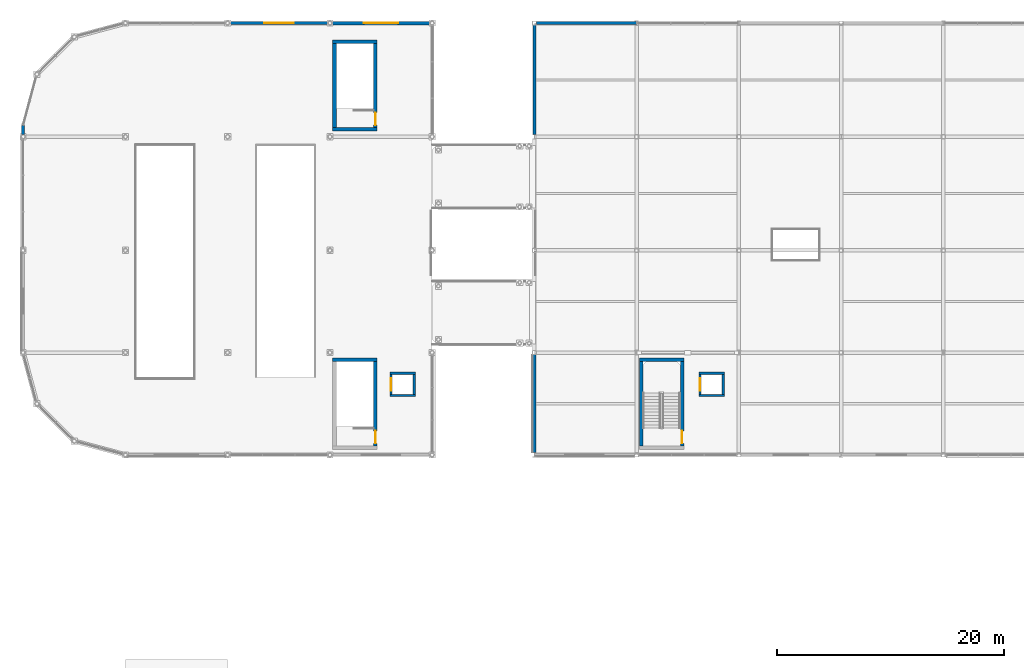
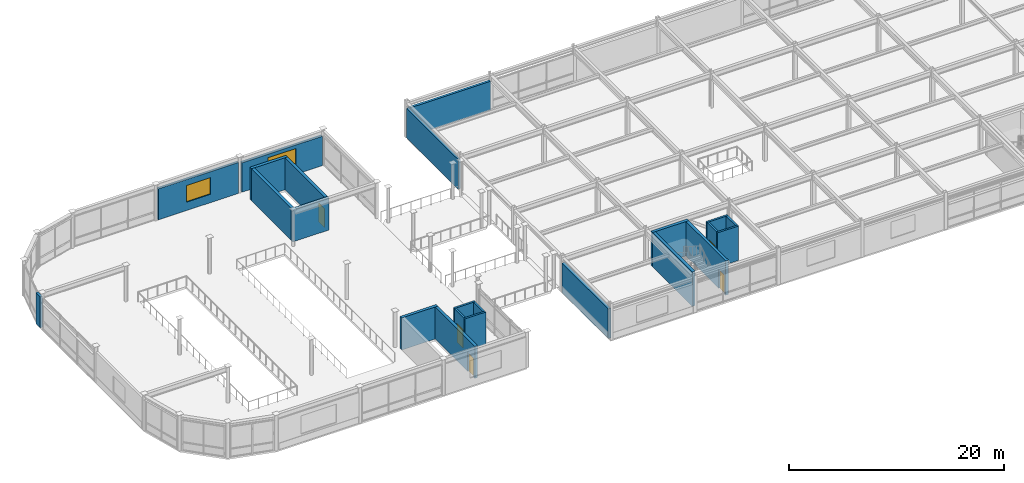
# One storey, part 38 of 53: 23 walls, 5 doors, 2 windows, 7 openings.
"""IFC4 building model written with IfcOpenShell, lengths in metres."""

from ifc_helpers import new_model, si_unit, direction, frame, frame_2d, origin, place, context, subcontext, project, spatial, rectangle, extrude, material, layer, layer_set, type_object, element, fill, save


model = new_model("IFC4")

# Units and contexts
model_context = context("Model", 3, precision=1e-05, world=origin(), true_north=direction((0.0, 1.0)))
body_context = subcontext(model_context, "Body", "Model", "MODEL_VIEW")
ifc_project = project(units=[si_unit("LENGTHUNIT", "METRE"), si_unit("AREAUNIT", "SQUARE_METRE"), si_unit("VOLUMEUNIT", "CUBIC_METRE"), si_unit("PLANEANGLEUNIT", "RADIAN"), si_unit("MASSUNIT", "GRAM", prefix="KILO")], contexts=[model_context])

# Site, building, storey
site_placement = place(None, origin())
site = spatial("IfcSite", under=ifc_project, at=site_placement, CompositionType="ELEMENT")
building_placement = place(site_placement, origin())
building = spatial("IfcBuilding", under=site, at=building_placement, Name="Suzunagisa Mobility Hub", CompositionType="ELEMENT")
storey_placement = place(building_placement, frame((0.0, 0.0, 17.699951171875)))
storey = spatial("IfcBuildingStorey", under=building, at=storey_placement, Name="L04", CompositionType="ELEMENT", Elevation=17.699951171875)

# Walls
ifc_material_1 = material(Name="Porcelain-Faced Insulated Concrete C30/37 Wall", Category="concrete")
ifc_layer_1 = layer(ifc_material_1, 0.260009765625)
ifc_layer_set_1 = layer_set([ifc_layer_1], Name="Porcelain-Faced Insulated Concrete C30/37 Wall")
wall_type_1 = type_object("IfcWallType", Name="Exterior Wall EW-03 260mm", PredefinedType="SOLIDWALL", material=ifc_layer_set_1)
wall_1_placement = place(storey_placement, frame((0.0, 109.0, 0.0), z_axis=(0.0, 0.0, 1.0), x_axis=(0.0, -1.0, 0.0)))
element("IfcWall", 1, at=wall_1_placement, inside=storey, type_object=wall_type_1, Name="L04 Exterior Facade Wall EW-134", PredefinedType="SOLIDWALL", context=body_context, shape_type="SweptSolid", body=[
    extrude(rectangle(XDim=0.822265625, YDim=0.260009765625, at=frame_2d((0.4111328125, 0.0))), origin(), (0.0, 0.0, 1.0), 3.526123046875),
])
wall_2_placement = place(storey_placement, frame((53.99560546875, 118.0, 0.0), z_axis=(0.0, 0.0, 1.0), x_axis=(-1.0, 0.0, 0.0)))
element("IfcWall", 2, at=wall_2_placement, inside=storey, type_object=wall_type_1, Name="L04 Exterior Facade Wall EW-238", PredefinedType="SOLIDWALL", context=body_context, shape_type="SweptSolid", body=[
    extrude(rectangle(XDim=8.820556640625, YDim=0.260009765625, at=frame_2d((4.41015625, 0.0))), origin(), (0.0, 0.0, 1.0), 3.25),
])
ifc_material_2 = material(Name="Lightweight Insulated Autoclaved Concrete C30/37 Wall", Category="concrete")
ifc_layer_2 = layer(ifc_material_2, 0.239990234375)
ifc_layer_set_2 = layer_set([ifc_layer_2], Name="Lightweight Insulated Autoclaved Concrete C30/37 Wall")
wall_type_2 = type_object("IfcWallType", Name="Exterior Wall EW-04 240mm", PredefinedType="SOLIDWALL", material=ifc_layer_set_2)
wall_3_placement = place(storey_placement, frame((45.0, 117.824951171875, 0.0), z_axis=(0.0, 0.0, 1.0), x_axis=(0.0, -1.0, 0.0)))
element("IfcWall", 3, at=wall_3_placement, inside=storey, type_object=wall_type_2, Name="L04 Exterior Facade Wall EW-239", PredefinedType="SOLIDWALL", context=body_context, shape_type="SweptSolid", body=[
    extrude(rectangle(XDim=9.6298828125, YDim=0.239990234375, at=frame_2d((4.81494140625, 0.0))), origin(), (0.0, 0.0, 1.0), 3.362060546875),
])

# Wall, opening, window
ifc_layer_3 = layer(ifc_material_1, 0.280029296875)
ifc_layer_set_3 = layer_set([ifc_layer_3], Name="Porcelain-Faced Insulated Concrete C30/37 Wall")
wall_type_3 = type_object("IfcWallType", Name="Exterior Wall EW-08 280mm", PredefinedType="SOLIDWALL", material=ifc_layer_set_3)
wall_4_placement = place(storey_placement, frame((26.822265625, 118.0, 0.0), z_axis=(0.0, 0.0, 1.0), x_axis=(-1.0, 0.0, 0.0)))
wall_4 = element("IfcWall", 4, at=wall_4_placement, inside=storey, type_object=wall_type_3, Name="L04 Exterior Facade Wall EW-133", PredefinedType="SOLIDWALL", context=body_context, shape_type="SweptSolid", body=[
    extrude(rectangle(XDim=8.64453125, YDim=0.280029296875, at=frame_2d((4.322265625, 0.0))), origin(), (0.0, 0.0, 1.0), 3.526123046875),
])
opening_1_placement = place(wall_4_placement, frame((3.022216796875, 0.0, 0.949951171875)))
opening_1 = element("IfcOpeningElement", 5, at=opening_1_placement, cuts=wall_4, Name="Opening WN-24", PredefinedType="OPENING", context=body_context, shape_type="SweptSolid", body=[
    extrude(rectangle(XDim=2.60009765625, YDim=1.89990234375, at=frame_2d((1.300048828125, 0.949951171875))), frame((0.0, 0.15087890625, 0.0), z_axis=(0.0, -1.0, 0.0), x_axis=(1.0, 0.0, 0.0)), (0.0, 0.0, 1.0), 0.302001953125),
])
ifc_material_3 = material(Name="Thermally Broken Anodized Aluminum and Low-E Double Glazing", Category="aluminium")
window_type_1 = type_object("IfcWindowType", Name="Aluminum Window WN-24 2600x1900", PartitioningType="SINGLE_PANEL", PredefinedType="WINDOW", material=ifc_material_3)
window_1_placement = place(opening_1_placement, origin())
window_1 = element("IfcWindow", 6, at=window_1_placement, inside=storey, type_object=window_type_1, Name="L04 Scheduled Facade Window WN-37", OverallHeight=1.89990234375, OverallWidth=2.60009765625, PartitioningType="SINGLE_PANEL", PredefinedType="WINDOW", context=body_context, shape_type="SweptSolid", body=[
    extrude(rectangle(XDim=2.60009765625, YDim=1.89990234375, at=frame_2d((1.300048828125, 0.949951171875))), frame((0.0, 0.030029296875, 0.0), z_axis=(0.0, -1.0, 0.0), x_axis=(1.0, 0.0, 0.0)), (0.0, 0.0, 1.0), 0.06005859375),
])
fill(opening_1, window_1)

ifc_material_4 = material(Name="Insulated Precast Concrete C35/45 Panel", Category="concrete")
ifc_layer_4 = layer(ifc_material_4, 0.300048828125)
ifc_layer_set_4 = layer_set([ifc_layer_4], Name="Insulated Precast Concrete C35/45 Panel")
wall_type_4 = type_object("IfcWallType", Name="Exterior Wall EW-09 300mm", PredefinedType="SOLIDWALL", material=ifc_layer_set_4)
wall_5_placement = place(storey_placement, frame((35.822265625, 118.0, 0.0), z_axis=(0.0, 0.0, 1.0), x_axis=(-1.0, 0.0, 0.0)))
wall_5 = element("IfcWall", 7, at=wall_5_placement, inside=storey, type_object=wall_type_4, Name="L04 Exterior Facade Wall EW-132", PredefinedType="SOLIDWALL", context=body_context, shape_type="SweptSolid", body=[
    extrude(rectangle(XDim=8.64453125, YDim=0.300048828125, at=frame_2d((4.322265625, 0.0))), origin(), (0.0, 0.0, 1.0), 3.35205078125),
])
opening_2_placement = place(wall_5_placement, frame((2.822265625, 0.0, 0.949951171875)))
opening_2 = element("IfcOpeningElement", 8, at=opening_2_placement, cuts=wall_5, Name="Opening WN-03", PredefinedType="OPENING", context=body_context, shape_type="SweptSolid", body=[
    extrude(rectangle(XDim=3.0, YDim=2.0, at=frame_2d((1.5, 1.0))), frame((0.0, 0.1611328125, 0.0), z_axis=(0.0, -1.0, 0.0), x_axis=(1.0, 0.0, 0.0)), (0.0, 0.0, 1.0), 0.322021484375),
])
window_type_2 = type_object("IfcWindowType", Name="Aluminum Window WN-03 3000x2000", PartitioningType="SINGLE_PANEL", PredefinedType="WINDOW", material=ifc_material_3)
window_2_placement = place(opening_2_placement, origin())
window_2 = element("IfcWindow", 9, at=window_2_placement, inside=storey, type_object=window_type_2, Name="L04 Scheduled Facade Window WN-36", OverallHeight=2.0, OverallWidth=3.0, PartitioningType="SINGLE_PANEL", PredefinedType="WINDOW", context=body_context, shape_type="SweptSolid", body=[
    extrude(rectangle(XDim=3.0, YDim=2.0, at=frame_2d((1.5, 1.0))), frame((0.0, 0.030029296875, 0.0), z_axis=(0.0, -1.0, 0.0), x_axis=(1.0, 0.0, 0.0)), (0.0, 0.0, 1.0), 0.06005859375),
])
fill(opening_2, window_2)

# Walls
wall_6_placement = place(storey_placement, frame((45.0, 88.824951171875, 0.0), z_axis=(0.0, 0.0, 1.0), x_axis=(0.0, -1.0, 0.0)))
element("IfcWall", 10, at=wall_6_placement, inside=storey, type_object=wall_type_4, Name="L04 Exterior Facade Wall EW-240", PredefinedType="SOLIDWALL", context=body_context, shape_type="SweptSolid", body=[
    extrude(rectangle(XDim=8.6298828125, YDim=0.300048828125, at=frame_2d((4.31494140625, 0.0))), origin(), (0.0, 0.0, 1.0), 3.362060546875),
])
ifc_material_5 = material(Name="Concrete C35/45", Category="concrete")
ifc_layer_5 = layer(ifc_material_5, 0.31005859375)
ifc_layer_set_5 = layer_set([ifc_layer_5], Name="Concrete C35/45")
wall_type_5 = type_object("IfcWallType", Name="Interior Wall IW-01 310mm", PredefinedType="SHEAR", material=ifc_layer_set_5)
wall_7_placement = place(storey_placement, frame((27.25, 88.35498046875, 0.0), z_axis=(0.0, 0.0, 1.0), x_axis=(1.0, 0.0, 0.0)))
element("IfcWall", 11, at=wall_7_placement, inside=storey, type_object=wall_type_5, Name="L04 Core C6 Shear Wall SW-150", PredefinedType="SHEAR", context=body_context, shape_type="SweptSolid", body=[
    extrude(rectangle(XDim=3.89990234375, YDim=0.31005859375, at=frame_2d((1.949951171875, 0.0))), origin(), (0.0, 0.0, 1.0), 3.650146484375),
])

# Wall, opening, door
wall_8_placement = place(storey_placement, frame((30.9951171875, 80.800048828125, 0.0), z_axis=(0.0, 0.0, 1.0), x_axis=(0.0, 1.0, 0.0)))
wall_8 = element("IfcWall", 12, at=wall_8_placement, inside=storey, type_object=wall_type_5, Name="L04 Core C6 Shear Wall SW-152", PredefinedType="SHEAR", context=body_context, shape_type="SweptSolid", body=[
    extrude(rectangle(XDim=7.39990234375, YDim=0.31005859375, at=frame_2d((3.699951171875, 0.0))), origin(), (0.0, 0.0, 1.0), 3.650146484375),
])
opening_3_placement = place(wall_8_placement, frame((0.219970703125, 0.0, 0.0)))
opening_3 = element("IfcOpeningElement", 13, at=opening_3_placement, cuts=wall_8, Name="Opening DR-05", PredefinedType="OPENING", context=body_context, shape_type="SweptSolid", body=[
    extrude(rectangle(XDim=1.10009765625, YDim=2.14990234375, at=frame_2d((0.550048828125, 1.074951171875))), frame((0.0, 0.166015625, 0.0), z_axis=(0.0, -1.0, 0.0), x_axis=(1.0, 0.0, 0.0)), (0.0, 0.0, 1.0), 0.33203125),
])
ifc_material_6 = material(Name="Fire-Rated Hollow Steel Stair Door", Category="steel")
door_type_1 = type_object("IfcDoorType", Name="Interior Door DR-05 1100x2150", OperationType="SINGLE_SWING_LEFT", PredefinedType="DOOR", material=ifc_material_6)
door_1_placement = place(opening_3_placement, origin())
door_1 = element("IfcDoor", 14, at=door_1_placement, inside=storey, type_object=door_type_1, Name="L04 Core C6 Escape Stair Fire Door SD-36", OperationType="SINGLE_SWING_RIGHT", OverallHeight=2.14990234375, OverallWidth=1.10009765625, PredefinedType="DOOR", context=body_context, shape_type="SweptSolid", body=[
    extrude(rectangle(XDim=1.10009765625, YDim=2.14990234375, at=frame_2d((0.550048828125, 1.074951171875))), frame((0.0, 0.02490234375, 0.0), z_axis=(0.0, -1.0, 0.0), x_axis=(1.0, 0.0, 0.0)), (0.0, 0.0, 1.0), 0.050048828125),
])
fill(opening_3, door_1)

# Walls
for number, where, z_axis, x_axis, name in (
    (15, (27.25, 108.64501953125, 0.0), (0.0, 0.0, 1.0), (1.0, 0.0, 0.0), "L04 Core C6B Shear Wall SW-177"),
    (16, (27.25, 116.35498046875, 0.0), (0.0, 0.0, 1.0), (1.0, 0.0, 0.0), "L04 Core C6B Shear Wall SW-178"),
):
    element("IfcWall", number, at=place(storey_placement, frame(where, z_axis=z_axis, x_axis=x_axis)), inside=storey, type_object=wall_type_5, Name=name, PredefinedType="SHEAR", context=body_context, shape_type="SweptSolid", body=[
        extrude(rectangle(XDim=3.89990234375, YDim=0.31005859375, at=frame_2d((1.949951171875, 0.0))), origin(), (0.0, 0.0, 1.0), 3.650146484375),
    ])
wall_9_placement = place(storey_placement, frame((27.405029296875, 108.800048828125, 0.0), z_axis=(0.0, 0.0, 1.0), x_axis=(0.0, 1.0, 0.0)))
element("IfcWall", 17, at=wall_9_placement, inside=storey, type_object=wall_type_5, Name="L04 Core C6B Shear Wall SW-179", PredefinedType="SHEAR", context=body_context, shape_type="SweptSolid", body=[
    extrude(rectangle(XDim=7.39990234375, YDim=0.31005859375, at=frame_2d((3.699951171875, 0.0))), origin(), (0.0, 0.0, 1.0), 3.650146484375),
])

# Wall, opening, door
wall_10_placement = place(storey_placement, frame((30.9951171875, 108.800048828125, 0.0), z_axis=(0.0, 0.0, 1.0), x_axis=(0.0, 1.0, 0.0)))
wall_10 = element("IfcWall", 18, at=wall_10_placement, inside=storey, type_object=wall_type_5, Name="L04 Core C6B Shear Wall SW-180", PredefinedType="SHEAR", context=body_context, shape_type="SweptSolid", body=[
    extrude(rectangle(XDim=7.39990234375, YDim=0.31005859375, at=frame_2d((3.699951171875, 0.0))), origin(), (0.0, 0.0, 1.0), 3.650146484375),
])
opening_4_placement = place(wall_10_placement, frame((0.219970703125, 0.0, 0.0)))
opening_4 = element("IfcOpeningElement", 19, at=opening_4_placement, cuts=wall_10, Name="Opening DR-05", PredefinedType="OPENING", context=body_context, shape_type="SweptSolid", body=[
    extrude(rectangle(XDim=1.10009765625, YDim=2.14990234375, at=frame_2d((0.550048828125, 1.074951171875))), frame((0.0, 0.166015625, 0.0), z_axis=(0.0, -1.0, 0.0), x_axis=(1.0, 0.0, 0.0)), (0.0, 0.0, 1.0), 0.33203125),
])
door_2_placement = place(opening_4_placement, origin())
door_2 = element("IfcDoor", 20, at=door_2_placement, inside=storey, type_object=door_type_1, Name="L04 Core C6B Escape Stair Fire Door SD-43", OperationType="SINGLE_SWING_RIGHT", OverallHeight=2.14990234375, OverallWidth=1.10009765625, PredefinedType="DOOR", context=body_context, shape_type="SweptSolid", body=[
    extrude(rectangle(XDim=1.10009765625, YDim=2.14990234375, at=frame_2d((0.550048828125, 1.074951171875))), frame((0.0, 0.02490234375, 0.0), z_axis=(0.0, -1.0, 0.0), x_axis=(1.0, 0.0, 0.0)), (0.0, 0.0, 1.0), 0.050048828125),
])
fill(opening_4, door_2)

# Walls
wall_11_placement = place(storey_placement, frame((54.25, 88.35498046875, 0.0), z_axis=(0.0, 0.0, 1.0), x_axis=(1.0, 0.0, 0.0)))
element("IfcWall", 21, at=wall_11_placement, inside=storey, type_object=wall_type_5, Name="L04 Core C3 Shear Wall SW-222", PredefinedType="SHEAR", context=body_context, shape_type="SweptSolid", body=[
    extrude(rectangle(XDim=3.89990234375, YDim=0.31005859375, at=frame_2d((1.949951171875, 0.0))), origin(), (0.0, 0.0, 1.0), 3.920166015625),
])
wall_12_placement = place(storey_placement, frame((54.405029296875, 80.800048828125, 0.0), z_axis=(0.0, 0.0, 1.0), x_axis=(0.0, 1.0, 0.0)))
element("IfcWall", 22, at=wall_12_placement, inside=storey, type_object=wall_type_5, Name="L04 Core C3 Shear Wall SW-223", PredefinedType="SHEAR", context=body_context, shape_type="SweptSolid", body=[
    extrude(rectangle(XDim=7.39990234375, YDim=0.31005859375, at=frame_2d((3.699951171875, 0.0))), origin(), (0.0, 0.0, 1.0), 3.920166015625),
])

# Wall, opening, door
wall_13_placement = place(storey_placement, frame((57.9951171875, 80.800048828125, 0.0), z_axis=(0.0, 0.0, 1.0), x_axis=(0.0, 1.0, 0.0)))
wall_13 = element("IfcWall", 23, at=wall_13_placement, inside=storey, type_object=wall_type_5, Name="L04 Core C3 Shear Wall SW-224", PredefinedType="SHEAR", context=body_context, shape_type="SweptSolid", body=[
    extrude(rectangle(XDim=7.39990234375, YDim=0.31005859375, at=frame_2d((3.699951171875, 0.0))), origin(), (0.0, 0.0, 1.0), 3.920166015625),
])
opening_5_placement = place(wall_13_placement, frame((0.219970703125, 0.0, 0.0)))
opening_5 = element("IfcOpeningElement", 24, at=opening_5_placement, cuts=wall_13, Name="Opening DR-05", PredefinedType="OPENING", context=body_context, shape_type="SweptSolid", body=[
    extrude(rectangle(XDim=1.10009765625, YDim=2.14990234375, at=frame_2d((0.550048828125, 1.074951171875))), frame((0.0, 0.166015625, 0.0), z_axis=(0.0, -1.0, 0.0), x_axis=(1.0, 0.0, 0.0)), (0.0, 0.0, 1.0), 0.33203125),
])
door_3_placement = place(opening_5_placement, origin())
door_3 = element("IfcDoor", 25, at=door_3_placement, inside=storey, type_object=door_type_1, Name="L04 Core C3 Escape Stair Fire Door SD-54", OperationType="SINGLE_SWING_RIGHT", OverallHeight=2.14990234375, OverallWidth=1.10009765625, PredefinedType="DOOR", context=body_context, shape_type="SweptSolid", body=[
    extrude(rectangle(XDim=1.10009765625, YDim=2.14990234375, at=frame_2d((0.550048828125, 1.074951171875))), frame((0.0, 0.02490234375, 0.0), z_axis=(0.0, -1.0, 0.0), x_axis=(1.0, 0.0, 0.0)), (0.0, 0.0, 1.0), 0.050048828125),
])
fill(opening_5, door_3)

ifc_material_7 = material(Name="Fire-Rated Gypsum Stud Partition", Category="gypsum")
ifc_layer_6 = layer(ifc_material_7, 0.2099609375)
ifc_layer_set_6 = layer_set([ifc_layer_6], Name="Fire-Rated Gypsum Stud Partition")
wall_type_6 = type_object("IfcWallType", Name="Interior Wall IW-03 210mm", PredefinedType="PARTITIONING", material=ifc_layer_set_6)
wall_14_placement = place(storey_placement, frame((32.375, 85.330078125, 0.0), z_axis=(0.0, 0.0, 1.0), x_axis=(0.0, 1.0, 0.0)))
wall_14 = element("IfcWall", 26, at=wall_14_placement, inside=storey, type_object=wall_type_6, Name="L04 Lift LF-09 Shaft Front Wall", PredefinedType="PARTITIONING", context=body_context, shape_type="SweptSolid", body=[
    extrude(rectangle(XDim=1.739990234375, YDim=0.2099609375, at=frame_2d((0.8701171875, 0.0))), origin(), (0.0, 0.0, 1.0), 3.650146484375),
])
opening_6_placement = place(wall_14_placement, frame((0.320068359375, 0.0, 0.0)))
opening_6 = element("IfcOpeningElement", 27, at=opening_6_placement, cuts=wall_14, Name="Opening LD-01", PredefinedType="OPENING", context=body_context, shape_type="SweptSolid", body=[
    extrude(rectangle(XDim=1.10009765625, YDim=2.14990234375, at=frame_2d((0.550048828125, 1.074951171875))), frame((0.0, 0.115966796875, 0.0), z_axis=(0.0, -1.0, 0.0), x_axis=(1.0, 0.0, 0.0)), (0.0, 0.0, 1.0), 0.23193359375),
])
ifc_material_8 = material(Name="Brushed Stainless Steel SUS304", Category="metal")
door_type_2 = type_object("IfcDoorType", Name="Lift Landing Sliding Door LD-01 1100x2150", OperationType="SLIDING_TO_LEFT", PredefinedType="DOOR", material=ifc_material_8)
door_4_placement = place(opening_6_placement, origin())
door_4 = element("IfcDoor", 28, at=door_4_placement, inside=storey, type_object=door_type_2, Name="L04 Lift LF-09 Sliding Landing Door", OperationType="SLIDING_TO_LEFT", OverallHeight=2.14990234375, OverallWidth=1.10009765625, PredefinedType="DOOR", context=body_context, shape_type="SweptSolid", body=[
    extrude(rectangle(XDim=1.10009765625, YDim=2.14990234375, at=frame_2d((0.550048828125, 1.074951171875))), frame((0.0, 0.02490234375, 0.0), z_axis=(0.0, -1.0, 0.0), x_axis=(1.0, 0.0, 0.0)), (0.0, 0.0, 1.0), 0.050048828125),
])
fill(opening_6, door_4)

# Walls
wall_15_placement = place(storey_placement, frame((34.425048828125, 85.330078125, 0.0), z_axis=(0.0, 0.0, 1.0), x_axis=(0.0, 1.0, 0.0)))
element("IfcWall", 29, at=wall_15_placement, inside=storey, type_object=wall_type_6, Name="L04 Lift LF-09 Shaft Back Wall", PredefinedType="PARTITIONING", context=body_context, shape_type="SweptSolid", body=[
    extrude(rectangle(XDim=1.739990234375, YDim=0.2099609375, at=frame_2d((0.8701171875, 0.0))), origin(), (0.0, 0.0, 1.0), 3.650146484375),
])
for number, where, z_axis, x_axis, name in (
    (30, (32.27001953125, 85.22509765625, 0.0), (0.0, 0.0, 1.0), (1.0, 0.0, 0.0), "L04 Lift LF-09 Shaft South Wall"),
    (31, (32.27001953125, 87.175048828125, 0.0), (0.0, 0.0, 1.0), (1.0, 0.0, 0.0), "L04 Lift LF-09 Shaft North Wall"),
):
    element("IfcWall", number, at=place(storey_placement, frame(where, z_axis=z_axis, x_axis=x_axis)), inside=storey, type_object=wall_type_6, Name=name, PredefinedType="PARTITIONING", context=body_context, shape_type="SweptSolid", body=[
        extrude(rectangle(XDim=2.260009765625, YDim=0.2099609375, at=frame_2d((1.1298828125, 0.0))), origin(), (0.0, 0.0, 1.0), 3.650146484375),
    ])

# Wall, opening, door
wall_16_placement = place(storey_placement, frame((59.574951171875, 85.330078125, 0.0), z_axis=(0.0, 0.0, 1.0), x_axis=(0.0, 1.0, 0.0)))
wall_16 = element("IfcWall", 32, at=wall_16_placement, inside=storey, type_object=wall_type_6, Name="L04 Lift LF-04 Shaft Front Wall", PredefinedType="PARTITIONING", context=body_context, shape_type="SweptSolid", body=[
    extrude(rectangle(XDim=1.739990234375, YDim=0.2099609375, at=frame_2d((0.8701171875, 0.0))), origin(), (0.0, 0.0, 1.0), 3.920166015625),
])
opening_7_placement = place(wall_16_placement, frame((0.320068359375, 0.0, 0.0)))
opening_7 = element("IfcOpeningElement", 33, at=opening_7_placement, cuts=wall_16, Name="Opening LD-01", PredefinedType="OPENING", context=body_context, shape_type="SweptSolid", body=[
    extrude(rectangle(XDim=1.10009765625, YDim=2.14990234375, at=frame_2d((0.550048828125, 1.074951171875))), frame((0.0, 0.115966796875, 0.0), z_axis=(0.0, -1.0, 0.0), x_axis=(1.0, 0.0, 0.0)), (0.0, 0.0, 1.0), 0.23193359375),
])
door_5_placement = place(opening_7_placement, origin())
door_5 = element("IfcDoor", 34, at=door_5_placement, inside=storey, type_object=door_type_2, Name="L04 Lift LF-04 Sliding Landing Door", OperationType="SLIDING_TO_LEFT", OverallHeight=2.14990234375, OverallWidth=1.10009765625, PredefinedType="DOOR", context=body_context, shape_type="SweptSolid", body=[
    extrude(rectangle(XDim=1.10009765625, YDim=2.14990234375, at=frame_2d((0.550048828125, 1.074951171875))), frame((0.0, 0.02490234375, 0.0), z_axis=(0.0, -1.0, 0.0), x_axis=(1.0, 0.0, 0.0)), (0.0, 0.0, 1.0), 0.050048828125),
])
fill(opening_7, door_5)

# Walls
wall_17_placement = place(storey_placement, frame((61.625, 85.330078125, 0.0), z_axis=(0.0, 0.0, 1.0), x_axis=(0.0, 1.0, 0.0)))
element("IfcWall", 35, at=wall_17_placement, inside=storey, type_object=wall_type_6, Name="L04 Lift LF-04 Shaft Back Wall", PredefinedType="PARTITIONING", context=body_context, shape_type="SweptSolid", body=[
    extrude(rectangle(XDim=1.739990234375, YDim=0.2099609375, at=frame_2d((0.8701171875, 0.0))), origin(), (0.0, 0.0, 1.0), 3.920166015625),
])
for number, where, z_axis, x_axis, name in (
    (36, (59.469970703125, 85.22509765625, 0.0), (0.0, 0.0, 1.0), (1.0, 0.0, 0.0), "L04 Lift LF-04 Shaft South Wall"),
    (37, (59.469970703125, 87.175048828125, 0.0), (0.0, 0.0, 1.0), (1.0, 0.0, 0.0), "L04 Lift LF-04 Shaft North Wall"),
):
    element("IfcWall", number, at=place(storey_placement, frame(where, z_axis=z_axis, x_axis=x_axis)), inside=storey, type_object=wall_type_6, Name=name, PredefinedType="PARTITIONING", context=body_context, shape_type="SweptSolid", body=[
        extrude(rectangle(XDim=2.260009765625, YDim=0.2099609375, at=frame_2d((1.1298828125, 0.0))), origin(), (0.0, 0.0, 1.0), 3.920166015625),
    ])

save(model, "model.ifc")
